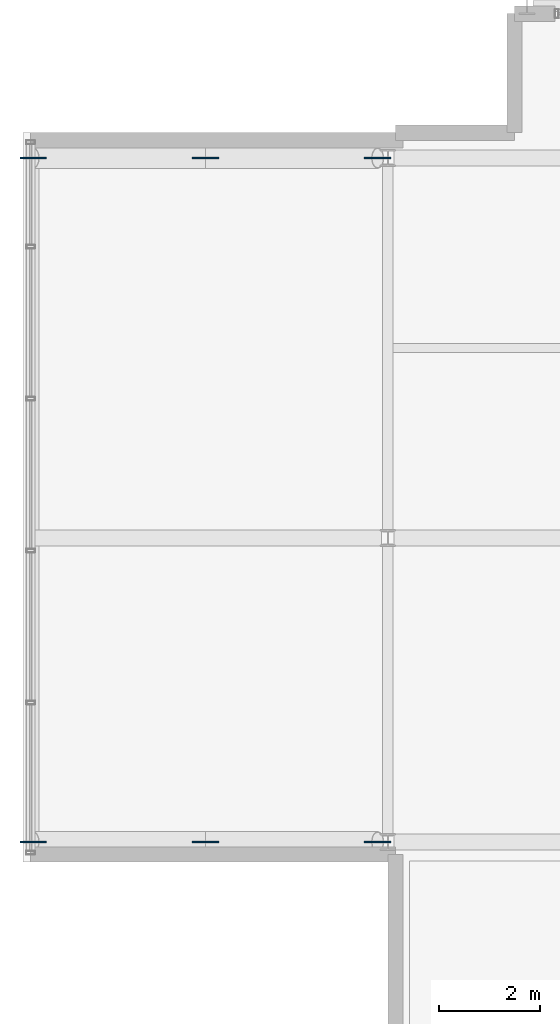
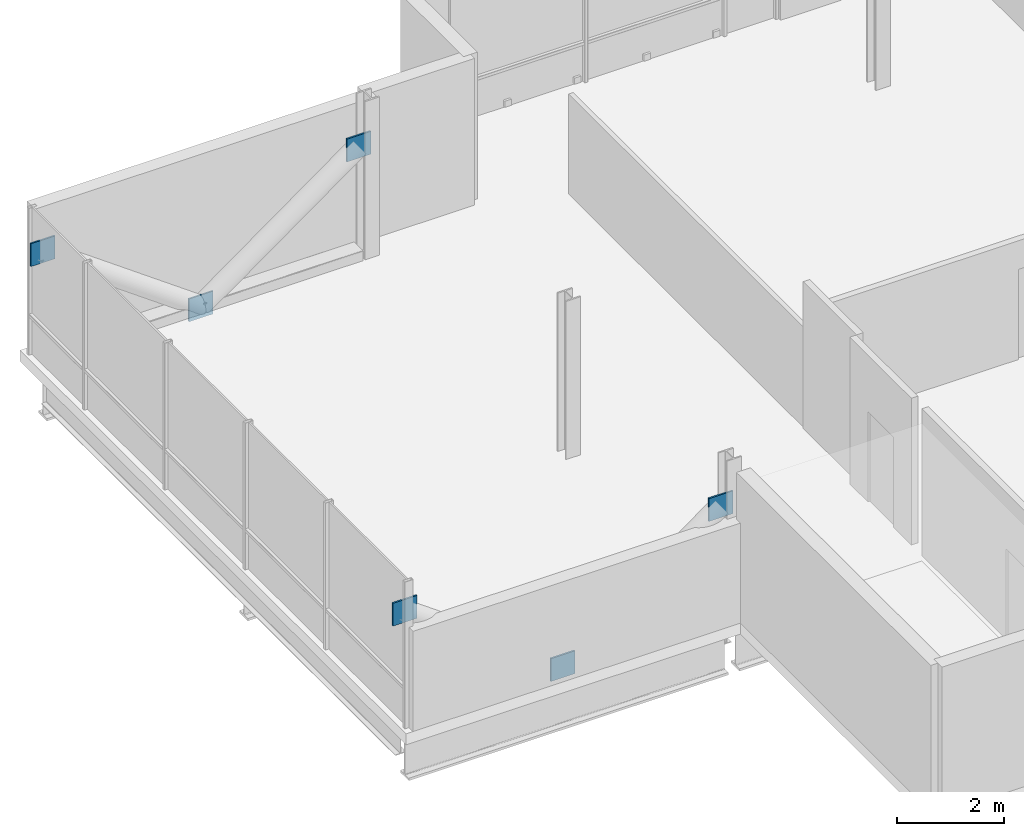
# One storey, part 12 of 18: 6 plates.
"""IFC4 building model written with IfcOpenShell, lengths in metres."""

from ifc_helpers import new_model, si_unit, direction, frame, origin, origin_2d, place, context, subcontext, project, spatial, rectangle, extrude, material, layer, layer_set, type_object, element, save


model = new_model("IFC4")

# Units and contexts
model_context = context("Model", 3, precision=1e-05, world=origin(), true_north=direction((0.0, 1.0)))
body_context = subcontext(model_context, "Body", "Model", "MODEL_VIEW")
ifc_project = project(units=[si_unit("LENGTHUNIT", "METRE"), si_unit("AREAUNIT", "SQUARE_METRE"), si_unit("VOLUMEUNIT", "CUBIC_METRE"), si_unit("PLANEANGLEUNIT", "RADIAN"), si_unit("MASSUNIT", "GRAM", prefix="KILO")], contexts=[model_context])

# Site, building, storey
site_placement = place(None, origin())
site = spatial("IfcSite", under=ifc_project, at=site_placement, CompositionType="ELEMENT")
building_placement = place(site_placement, origin())
building = spatial("IfcBuilding", under=site, at=building_placement, Name="Brevholm Reach", CompositionType="ELEMENT")
storey_placement = place(building_placement, frame((0.0, 0.0, 243.64990234375)))
storey = spatial("IfcBuildingStorey", under=building, at=storey_placement, Name="L74", CompositionType="ELEMENT", Elevation=243.64990234375)

# Plates
ifc_material = material(Name="Structural Steel S355J2", Category="steel")
ifc_layer = layer(ifc_material, 0.02392578125)
ifc_layer_set = layer_set([ifc_layer], Name="Structural Steel S355J2")
plate_type = type_object("IfcPlateType", Name="PLT-GUS-24", PredefinedType="USERDEFINED", material=ifc_layer_set)
for number, where, z_axis, x_axis, name in (
    (1, (27.050048828125, 10.0, 2.239990234375), (0.0, 0.0, 1.0), (1.0, 0.0, 0.0), "L74 Sky-Lounge Cantilever Truss Gusset Y10.1"),
    (2, (23.64990234375, 10.0, -0.2099609375), (0.0, 0.0, 1.0), (1.0, 0.0, 0.0), "L74 Sky-Lounge Cantilever Truss Gusset Y10.2"),
    (3, (20.25, 10.0, 2.239990234375), (0.0, 0.0, 1.0), (1.0, 0.0, 0.0), "L74 Sky-Lounge Cantilever Truss Gusset Y10.3"),
    (4, (27.050048828125, 23.5, 2.239990234375), (0.0, 0.0, 1.0), (1.0, 0.0, 0.0), "L74 Sky-Lounge Cantilever Truss Gusset Y23.1"),
    (5, (23.64990234375, 23.5, -0.2099609375), (0.0, 0.0, 1.0), (1.0, 0.0, 0.0), "L74 Sky-Lounge Cantilever Truss Gusset Y23.2"),
    (6, (20.25, 23.5, 2.239990234375), (0.0, 0.0, 1.0), (1.0, 0.0, 0.0), "L74 Sky-Lounge Cantilever Truss Gusset Y23.3"),
):
    element("IfcPlate", number, at=place(storey_placement, frame(where, z_axis=z_axis, x_axis=x_axis)), inside=storey, type_object=plate_type, Name=name, ObjectType="GUSSET_PLATE", PredefinedType="USERDEFINED", context=body_context, shape_type="SweptSolid", body=[
        extrude(rectangle(XDim=0.52001953125, YDim=0.035888671875, at=origin_2d()), origin(), (0.0, 0.0, 1.0), 0.52001953125),
    ])

save(model, "model.ifc")
